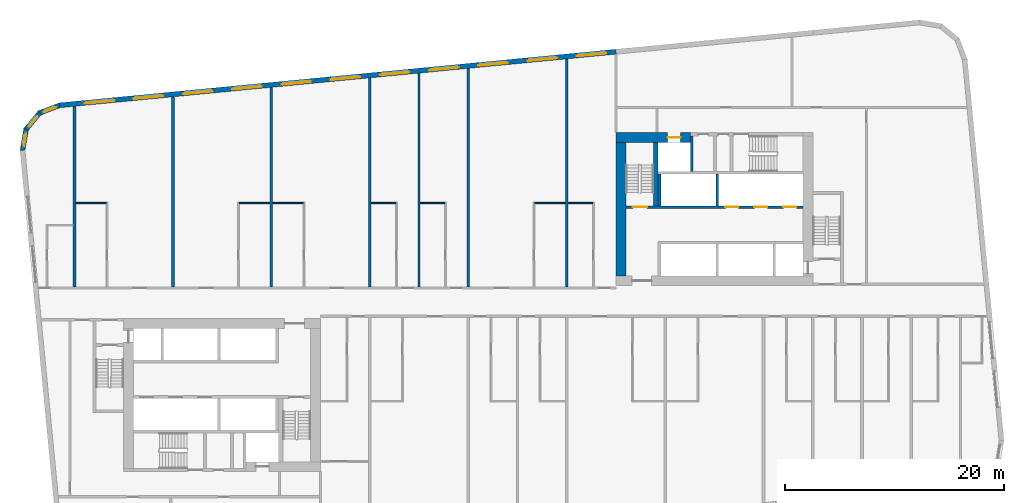
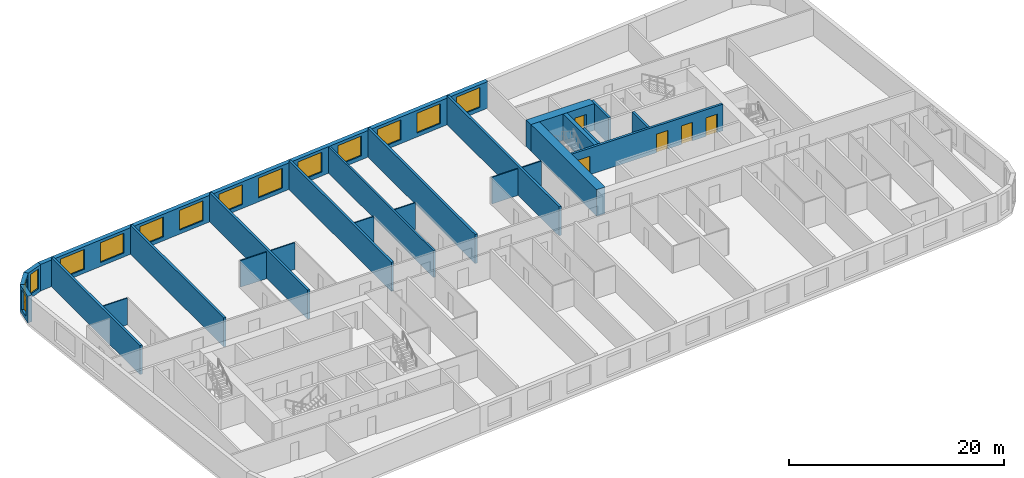
# One storey, part 6 of 12: 25 walls, 14 windows, 5 doors, 19 openings.
"""IFC4 building model written with IfcOpenShell, lengths in metres."""

from ifc_helpers import new_model, si_unit, direction, frame, frame_2d, origin, place, context, subcontext, project, spatial, polyline, rectangle, outline, extrude, material, layer, layer_set, type_object, element, fill, save


model = new_model("IFC4")

# Units and contexts
model_context = context("Model", 3, precision=1e-05, world=origin(), true_north=direction((0.0, 1.0)))
body_context = subcontext(model_context, "Body", "Model", "MODEL_VIEW")
ifc_project = project(units=[si_unit("LENGTHUNIT", "METRE"), si_unit("AREAUNIT", "SQUARE_METRE"), si_unit("VOLUMEUNIT", "CUBIC_METRE"), si_unit("PLANEANGLEUNIT", "RADIAN"), si_unit("MASSUNIT", "GRAM", prefix="KILO")], contexts=[model_context])

# Site, building, storey
site_placement = place(None, origin())
site = spatial("IfcSite", under=ifc_project, at=site_placement, CompositionType="ELEMENT")
building_placement = place(site_placement, origin())
building = spatial("IfcBuilding", under=site, at=building_placement, Name="Kajstack Hotel Tower", CompositionType="ELEMENT")
storey_placement = place(building_placement, frame((0.0, 0.0, 133.89990234375)))
storey = spatial("IfcBuildingStorey", under=building, at=storey_placement, Name="L30", CompositionType="ELEMENT", Elevation=133.89990234375)

# Wall, opening, door
ifc_material_1 = material(Name="Concrete C60/75", Category="concrete")
ifc_layer_1 = layer(ifc_material_1, 0.89990234375)
ifc_layer_set_1 = layer_set([ifc_layer_1], Name="Core wall 900")
wall_type_1 = type_object("IfcWallType", Name="Core wall 900", PredefinedType="SHEAR", material=ifc_layer_set_1)
wall_1_placement = place(storey_placement, frame((13.5, 15.050048828125, 0.0), z_axis=(0.0, 0.0, 1.0), x_axis=(1.0, 0.0, 0.0)))
wall_1 = element("IfcWall", 1, at=wall_1_placement, inside=storey, type_object=wall_type_1, Name="Core wall E RS", PredefinedType="SHEAR", context=body_context, shape_type="SweptSolid", body=[
    extrude(rectangle(XDim=6.800048828125, YDim=0.89990234375, at=frame_2d((3.39990234375, 0.0))), origin(), (0.0, 0.0, 1.0), 3.02001953125),
])
opening_1_placement = place(wall_1_placement, frame((4.72509765625, 0.0, 0.0)))
opening_1 = element("IfcOpeningElement", 2, at=opening_1_placement, cuts=wall_1, Name="Opening LD-SV2", PredefinedType="OPENING", context=body_context, shape_type="SweptSolid", body=[
    extrude(rectangle(XDim=1.199951171875, YDim=2.10009765625, at=frame_2d((0.60009765625, 1.050048828125))), frame((0.0, 0.4599609375, 0.0), z_axis=(0.0, -1.0, 0.0), x_axis=(1.0, 0.0, 0.0)), (0.0, 0.0, 1.0), 0.919921875),
])
ifc_material_2 = material(Name="Stainless steel", Category="steel")
door_type_1 = type_object("IfcDoorType", Name="Lift landing door 1200", OperationType="SLIDING_TO_LEFT", PredefinedType="DOOR", material=ifc_material_2)
door_1_placement = place(opening_1_placement, origin())
door_1 = element("IfcDoor", 3, at=door_1_placement, inside=storey, type_object=door_type_1, Name="Landing door SV2", OperationType="SLIDING_TO_LEFT", OverallHeight=2.10009765625, OverallWidth=1.199951171875, PredefinedType="DOOR", context=body_context, shape_type="SweptSolid", body=[
    extrude(rectangle(XDim=1.199951171875, YDim=2.10009765625, at=frame_2d((0.60009765625, 1.050048828125))), frame((0.0, 0.02490234375, 0.0), z_axis=(0.0, -1.0, 0.0), x_axis=(1.0, 0.0, 0.0)), (0.0, 0.0, 1.0), 0.050048828125),
])
fill(opening_1, door_1)

# Walls
wall_2_placement = place(storey_placement, frame((13.949951171875, 2.39990234375, 0.0), z_axis=(0.0, 0.0, 1.0), x_axis=(0.0, 1.0, 0.0)))
element("IfcWall", 4, at=wall_2_placement, inside=storey, type_object=wall_type_1, Name="Core wall E RE", PredefinedType="SHEAR", context=body_context, shape_type="SweptSolid", body=[
    extrude(rectangle(XDim=12.2001953125, YDim=0.89990234375, at=frame_2d((6.10009765625, 0.0))), origin(), (0.0, 0.0, 1.0), 3.02001953125),
])
ifc_material_3 = material(Name="Twin-frame gypsum board on steel studs, mineral wool", Category="steel")
ifc_layer_2 = layer(ifc_material_3, 0.199951171875)
ifc_layer_set_2 = layer_set([ifc_layer_2], Name="Demising wall 200")
wall_type_2 = type_object("IfcWallType", Name="Demising wall 200", PredefinedType="PARTITIONING", material=ifc_layer_set_2)
wall_3_placement = place(storey_placement, frame((-4.5, 1.39990234375, 0.0), z_axis=(0.0, 0.0, 1.0), x_axis=(0.0, 1.0, 0.0)))
element("IfcWall", 5, at=wall_3_placement, inside=storey, type_object=wall_type_2, Name="G-wall-L30-012", PredefinedType="PARTITIONING", context=body_context, shape_type="SweptSolid", body=[
    extrude(rectangle(XDim=19.529052734375, YDim=0.199951171875, at=frame_2d((9.7646484375, 0.0))), origin(), (0.0, 0.0, 1.0), 3.02001953125),
])

# Wall, openings, windows
ifc_material_4 = material(Name="Terracotta-faced brick masonry", Category="masonry")
ifc_layer_3 = layer(ifc_material_4, 0.449951171875)
ifc_layer_set_3 = layer_set([ifc_layer_3], Name="EW-TERRA")
wall_type_3 = type_object("IfcWallType", Name="EW-TERRA", PredefinedType="SOLIDWALL", material=ifc_layer_set_3)
wall_4_placement = place(storey_placement, frame((13.521484375, 22.89013671875, 0.0), z_axis=(0.0, 0.0, 1.0), x_axis=(-0.995396445054, -0.095843190545, 0.0)))
wall_4 = element("IfcWall", 6, at=wall_4_placement, inside=storey, type_object=wall_type_3, Name="E-wall-L30-12-02", PredefinedType="SOLIDWALL", context=body_context, shape_type="SweptSolid", body=[
    extrude(rectangle(XDim=51.114013671875, YDim=0.449951171875, at=frame_2d((25.55712890625, 0.0))), origin(), (0.0, 0.0, 1.0), 3.02001953125),
])
opening_2_placement = place(wall_4_placement, frame((0.910400390625, 0.0, 0.449951171875)))
opening_2 = element("IfcOpeningElement", 7, at=opening_2_placement, cuts=wall_4, Name="Opening W1", PredefinedType="OPENING", context=body_context, shape_type="SweptSolid", body=[
    extrude(rectangle(XDim=2.699951171875, YDim=2.25, at=frame_2d((1.35009765625, 1.125))), frame((0.0, 0.23486328125, 0.0), z_axis=(0.0, -1.0, 0.0), x_axis=(1.0, 0.0, 0.0)), (0.0, 0.0, 1.0), 0.469970703125),
])
opening_3_placement = place(wall_4_placement, frame((5.43115234375, 0.0, 0.449951171875)))
opening_3 = element("IfcOpeningElement", 8, at=opening_3_placement, cuts=wall_4, Name="Opening W1", PredefinedType="OPENING", context=body_context, shape_type="SweptSolid", body=[
    extrude(rectangle(XDim=2.699951171875, YDim=2.25, at=frame_2d((1.35009765625, 1.125))), frame((0.0, 0.23486328125, 0.0), z_axis=(0.0, -1.0, 0.0), x_axis=(1.0, 0.0, 0.0)), (0.0, 0.0, 1.0), 0.469970703125),
])
opening_4_placement = place(wall_4_placement, frame((9.951904296875, 0.0, 0.449951171875)))
opening_4 = element("IfcOpeningElement", 9, at=opening_4_placement, cuts=wall_4, Name="Opening W1", PredefinedType="OPENING", context=body_context, shape_type="SweptSolid", body=[
    extrude(rectangle(XDim=2.699951171875, YDim=2.25, at=frame_2d((1.35009765625, 1.125))), frame((0.0, 0.23486328125, 0.0), z_axis=(0.0, -1.0, 0.0), x_axis=(1.0, 0.0, 0.0)), (0.0, 0.0, 1.0), 0.469970703125),
])
opening_5_placement = place(wall_4_placement, frame((14.472900390625, 0.0, 0.449951171875)))
opening_5 = element("IfcOpeningElement", 10, at=opening_5_placement, cuts=wall_4, Name="Opening W1", PredefinedType="OPENING", context=body_context, shape_type="SweptSolid", body=[
    extrude(rectangle(XDim=2.699951171875, YDim=2.25, at=frame_2d((1.35009765625, 1.125))), frame((0.0, 0.23486328125, 0.0), z_axis=(0.0, -1.0, 0.0), x_axis=(1.0, 0.0, 0.0)), (0.0, 0.0, 1.0), 0.469970703125),
])
opening_6_placement = place(wall_4_placement, frame((18.99365234375, 0.0, 0.449951171875)))
opening_6 = element("IfcOpeningElement", 11, at=opening_6_placement, cuts=wall_4, Name="Opening W1", PredefinedType="OPENING", context=body_context, shape_type="SweptSolid", body=[
    extrude(rectangle(XDim=2.699951171875, YDim=2.25, at=frame_2d((1.35009765625, 1.125))), frame((0.0, 0.23486328125, 0.0), z_axis=(0.0, -1.0, 0.0), x_axis=(1.0, 0.0, 0.0)), (0.0, 0.0, 1.0), 0.469970703125),
])
opening_7_placement = place(wall_4_placement, frame((23.514404296875, 0.0, 0.449951171875)))
opening_7 = element("IfcOpeningElement", 12, at=opening_7_placement, cuts=wall_4, Name="Opening W1", PredefinedType="OPENING", context=body_context, shape_type="SweptSolid", body=[
    extrude(rectangle(XDim=2.699951171875, YDim=2.25, at=frame_2d((1.35009765625, 1.125))), frame((0.0, 0.23486328125, 0.0), z_axis=(0.0, -1.0, 0.0), x_axis=(1.0, 0.0, 0.0)), (0.0, 0.0, 1.0), 0.469970703125),
])
opening_8_placement = place(wall_4_placement, frame((28.035400390625, 0.0, 0.449951171875)))
opening_8 = element("IfcOpeningElement", 13, at=opening_8_placement, cuts=wall_4, Name="Opening W1", PredefinedType="OPENING", context=body_context, shape_type="SweptSolid", body=[
    extrude(rectangle(XDim=2.699951171875, YDim=2.25, at=frame_2d((1.35009765625, 1.125))), frame((0.0, 0.23486328125, 0.0), z_axis=(0.0, -1.0, 0.0), x_axis=(1.0, 0.0, 0.0)), (0.0, 0.0, 1.0), 0.469970703125),
])
opening_9_placement = place(wall_4_placement, frame((32.55615234375, 0.0, 0.449951171875)))
opening_9 = element("IfcOpeningElement", 14, at=opening_9_placement, cuts=wall_4, Name="Opening W1", PredefinedType="OPENING", context=body_context, shape_type="SweptSolid", body=[
    extrude(rectangle(XDim=2.699951171875, YDim=2.25, at=frame_2d((1.35009765625, 1.125))), frame((0.0, 0.23486328125, 0.0), z_axis=(0.0, -1.0, 0.0), x_axis=(1.0, 0.0, 0.0)), (0.0, 0.0, 1.0), 0.469970703125),
])
opening_10_placement = place(wall_4_placement, frame((37.076904296875, 0.0, 0.449951171875)))
opening_10 = element("IfcOpeningElement", 15, at=opening_10_placement, cuts=wall_4, Name="Opening W1", PredefinedType="OPENING", context=body_context, shape_type="SweptSolid", body=[
    extrude(rectangle(XDim=2.699951171875, YDim=2.25, at=frame_2d((1.35009765625, 1.125))), frame((0.0, 0.23486328125, 0.0), z_axis=(0.0, -1.0, 0.0), x_axis=(1.0, 0.0, 0.0)), (0.0, 0.0, 1.0), 0.469970703125),
])
opening_11_placement = place(wall_4_placement, frame((41.59765625, 0.0, 0.449951171875)))
opening_11 = element("IfcOpeningElement", 16, at=opening_11_placement, cuts=wall_4, Name="Opening W1", PredefinedType="OPENING", context=body_context, shape_type="SweptSolid", body=[
    extrude(rectangle(XDim=2.699951171875, YDim=2.25, at=frame_2d((1.35009765625, 1.125))), frame((0.0, 0.23486328125, 0.0), z_axis=(0.0, -1.0, 0.0), x_axis=(1.0, 0.0, 0.0)), (0.0, 0.0, 1.0), 0.469970703125),
])
opening_12_placement = place(wall_4_placement, frame((46.118408203125, 0.0, 0.449951171875)))
opening_12 = element("IfcOpeningElement", 17, at=opening_12_placement, cuts=wall_4, Name="Opening W1", PredefinedType="OPENING", context=body_context, shape_type="SweptSolid", body=[
    extrude(rectangle(XDim=2.699951171875, YDim=2.25, at=frame_2d((1.35009765625, 1.125))), frame((0.0, 0.23486328125, 0.0), z_axis=(0.0, -1.0, 0.0), x_axis=(1.0, 0.0, 0.0)), (0.0, 0.0, 1.0), 0.469970703125),
])
ifc_material_5 = material(Name="Timber-aluminium window, triple glazed", Category="wood")
window_type_1 = type_object("IfcWindowType", Name="WG1", PartitioningType="SINGLE_PANEL", PredefinedType="WINDOW", material=ifc_material_5)
window_1_placement = place(opening_2_placement, origin())
window_1 = element("IfcWindow", 18, at=window_1_placement, inside=storey, type_object=window_type_1, Name="Window W1 L30-12", OverallHeight=2.25, OverallWidth=2.699951171875, PartitioningType="SINGLE_PANEL", PredefinedType="WINDOW", context=body_context, shape_type="SweptSolid", body=[
    extrude(rectangle(XDim=2.699951171875, YDim=2.25, at=frame_2d((1.35009765625, 1.125))), frame((0.0, 0.090087890625, 0.0), z_axis=(0.0, -1.0, 0.0), x_axis=(1.0, 0.0, 0.0)), (0.0, 0.0, 1.0), 0.06005859375),
])
fill(opening_2, window_1)
window_2_placement = place(opening_3_placement, origin())
window_2 = element("IfcWindow", 19, at=window_2_placement, inside=storey, type_object=window_type_1, Name="Window W1 L30-12", OverallHeight=2.25, OverallWidth=2.699951171875, PartitioningType="SINGLE_PANEL", PredefinedType="WINDOW", context=body_context, shape_type="SweptSolid", body=[
    extrude(rectangle(XDim=2.699951171875, YDim=2.25, at=frame_2d((1.35009765625, 1.125))), frame((0.0, 0.090087890625, 0.0), z_axis=(0.0, -1.0, 0.0), x_axis=(1.0, 0.0, 0.0)), (0.0, 0.0, 1.0), 0.06005859375),
])
fill(opening_3, window_2)
window_3_placement = place(opening_4_placement, origin())
window_3 = element("IfcWindow", 20, at=window_3_placement, inside=storey, type_object=window_type_1, Name="Window W1 L30-12", OverallHeight=2.25, OverallWidth=2.699951171875, PartitioningType="SINGLE_PANEL", PredefinedType="WINDOW", context=body_context, shape_type="SweptSolid", body=[
    extrude(rectangle(XDim=2.699951171875, YDim=2.25, at=frame_2d((1.35009765625, 1.125))), frame((0.0, 0.090087890625, 0.0), z_axis=(0.0, -1.0, 0.0), x_axis=(1.0, 0.0, 0.0)), (0.0, 0.0, 1.0), 0.06005859375),
])
fill(opening_4, window_3)
window_4_placement = place(opening_5_placement, origin())
window_4 = element("IfcWindow", 21, at=window_4_placement, inside=storey, type_object=window_type_1, Name="Window W1 L30-12", OverallHeight=2.25, OverallWidth=2.699951171875, PartitioningType="SINGLE_PANEL", PredefinedType="WINDOW", context=body_context, shape_type="SweptSolid", body=[
    extrude(rectangle(XDim=2.699951171875, YDim=2.25, at=frame_2d((1.35009765625, 1.125))), frame((0.0, 0.090087890625, 0.0), z_axis=(0.0, -1.0, 0.0), x_axis=(1.0, 0.0, 0.0)), (0.0, 0.0, 1.0), 0.06005859375),
])
fill(opening_5, window_4)
window_5_placement = place(opening_6_placement, origin())
window_5 = element("IfcWindow", 22, at=window_5_placement, inside=storey, type_object=window_type_1, Name="Window W1 L30-12", OverallHeight=2.25, OverallWidth=2.699951171875, PartitioningType="SINGLE_PANEL", PredefinedType="WINDOW", context=body_context, shape_type="SweptSolid", body=[
    extrude(rectangle(XDim=2.699951171875, YDim=2.25, at=frame_2d((1.35009765625, 1.125))), frame((0.0, 0.090087890625, 0.0), z_axis=(0.0, -1.0, 0.0), x_axis=(1.0, 0.0, 0.0)), (0.0, 0.0, 1.0), 0.06005859375),
])
fill(opening_6, window_5)
window_6_placement = place(opening_7_placement, origin())
window_6 = element("IfcWindow", 23, at=window_6_placement, inside=storey, type_object=window_type_1, Name="Window W1 L30-12", OverallHeight=2.25, OverallWidth=2.699951171875, PartitioningType="SINGLE_PANEL", PredefinedType="WINDOW", context=body_context, shape_type="SweptSolid", body=[
    extrude(rectangle(XDim=2.699951171875, YDim=2.25, at=frame_2d((1.35009765625, 1.125))), frame((0.0, 0.090087890625, 0.0), z_axis=(0.0, -1.0, 0.0), x_axis=(1.0, 0.0, 0.0)), (0.0, 0.0, 1.0), 0.06005859375),
])
fill(opening_7, window_6)
window_7_placement = place(opening_8_placement, origin())
window_7 = element("IfcWindow", 24, at=window_7_placement, inside=storey, type_object=window_type_1, Name="Window W1 L30-12", OverallHeight=2.25, OverallWidth=2.699951171875, PartitioningType="SINGLE_PANEL", PredefinedType="WINDOW", context=body_context, shape_type="SweptSolid", body=[
    extrude(rectangle(XDim=2.699951171875, YDim=2.25, at=frame_2d((1.35009765625, 1.125))), frame((0.0, 0.090087890625, 0.0), z_axis=(0.0, -1.0, 0.0), x_axis=(1.0, 0.0, 0.0)), (0.0, 0.0, 1.0), 0.06005859375),
])
fill(opening_8, window_7)
window_8_placement = place(opening_9_placement, origin())
window_8 = element("IfcWindow", 25, at=window_8_placement, inside=storey, type_object=window_type_1, Name="Window W1 L30-12", OverallHeight=2.25, OverallWidth=2.699951171875, PartitioningType="SINGLE_PANEL", PredefinedType="WINDOW", context=body_context, shape_type="SweptSolid", body=[
    extrude(rectangle(XDim=2.699951171875, YDim=2.25, at=frame_2d((1.35009765625, 1.125))), frame((0.0, 0.090087890625, 0.0), z_axis=(0.0, -1.0, 0.0), x_axis=(1.0, 0.0, 0.0)), (0.0, 0.0, 1.0), 0.06005859375),
])
fill(opening_9, window_8)
window_9_placement = place(opening_10_placement, origin())
window_9 = element("IfcWindow", 26, at=window_9_placement, inside=storey, type_object=window_type_1, Name="Window W1 L30-12", OverallHeight=2.25, OverallWidth=2.699951171875, PartitioningType="SINGLE_PANEL", PredefinedType="WINDOW", context=body_context, shape_type="SweptSolid", body=[
    extrude(rectangle(XDim=2.699951171875, YDim=2.25, at=frame_2d((1.35009765625, 1.125))), frame((0.0, 0.090087890625, 0.0), z_axis=(0.0, -1.0, 0.0), x_axis=(1.0, 0.0, 0.0)), (0.0, 0.0, 1.0), 0.06005859375),
])
fill(opening_10, window_9)
window_10_placement = place(opening_11_placement, origin())
window_10 = element("IfcWindow", 27, at=window_10_placement, inside=storey, type_object=window_type_1, Name="Window W1 L30-12", OverallHeight=2.25, OverallWidth=2.699951171875, PartitioningType="SINGLE_PANEL", PredefinedType="WINDOW", context=body_context, shape_type="SweptSolid", body=[
    extrude(rectangle(XDim=2.699951171875, YDim=2.25, at=frame_2d((1.35009765625, 1.125))), frame((0.0, 0.090087890625, 0.0), z_axis=(0.0, -1.0, 0.0), x_axis=(1.0, 0.0, 0.0)), (0.0, 0.0, 1.0), 0.06005859375),
])
fill(opening_11, window_10)
window_11_placement = place(opening_12_placement, origin())
window_11 = element("IfcWindow", 28, at=window_11_placement, inside=storey, type_object=window_type_1, Name="Window W1 L30-12", OverallHeight=2.25, OverallWidth=2.699951171875, PartitioningType="SINGLE_PANEL", PredefinedType="WINDOW", context=body_context, shape_type="SweptSolid", body=[
    extrude(rectangle(XDim=2.699951171875, YDim=2.25, at=frame_2d((1.35009765625, 1.125))), frame((0.0, 0.090087890625, 0.0), z_axis=(0.0, -1.0, 0.0), x_axis=(1.0, 0.0, 0.0)), (0.0, 0.0, 1.0), 0.06005859375),
])
fill(opening_12, window_11)

# Wall, opening, window
wall_5_placement = place(storey_placement, frame((-37.300048828125, 18.00439453125, 0.0), z_axis=(0.0, 0.0, 1.0), x_axis=(-0.936677599948, -0.350192909346, 0.0)))
wall_5 = element("IfcWall", 29, at=wall_5_placement, inside=storey, type_object=wall_type_3, Name="E-wall-L30-13-00", PredefinedType="SOLIDWALL", context=body_context, shape_type="SweptSolid", body=[
    extrude(outline(polyline([(0.0, -0.224853515625), (2.070556640625, -0.224853515625), (1.949951171875, 0.22509765625), (0.12060546875, 0.22509765625), (0.0, -0.224853515625)])), origin(), (0.0, 0.0, 1.0), 3.02001953125),
])
opening_13_placement = place(wall_5_placement, frame((0.435302734375, 0.0, 0.449951171875)))
opening_13 = element("IfcOpeningElement", 30, at=opening_13_placement, cuts=wall_5, Name="Opening W3", PredefinedType="OPENING", context=body_context, shape_type="SweptSolid", body=[
    extrude(rectangle(XDim=1.199951171875, YDim=2.25, at=frame_2d((0.60009765625, 1.125))), frame((0.0, 0.23486328125, 0.0), z_axis=(0.0, -1.0, 0.0), x_axis=(1.0, 0.0, 0.0)), (0.0, 0.0, 1.0), 0.469970703125),
])
window_type_2 = type_object("IfcWindowType", Name="WG3", PartitioningType="SINGLE_PANEL", PredefinedType="WINDOW", material=ifc_material_5)
window_12_placement = place(opening_13_placement, origin())
window_12 = element("IfcWindow", 31, at=window_12_placement, inside=storey, type_object=window_type_2, Name="Window W3 L30-13", OverallHeight=2.25, OverallWidth=1.199951171875, PartitioningType="SINGLE_PANEL", PredefinedType="WINDOW", context=body_context, shape_type="SweptSolid", body=[
    extrude(rectangle(XDim=1.199951171875, YDim=2.25, at=frame_2d((0.60009765625, 1.125))), frame((0.0, 0.090087890625, 0.0), z_axis=(0.0, -1.0, 0.0), x_axis=(1.0, 0.0, 0.0)), (0.0, 0.0, 1.0), 0.06005859375),
])
fill(opening_13, window_12)

wall_6_placement = place(storey_placement, frame((-39.144775390625, 17.346923828125, 0.0), z_axis=(0.0, 0.0, 1.0), x_axis=(-0.636046112757, -0.771651049663, 0.0)))
wall_6 = element("IfcWall", 32, at=wall_6_placement, inside=storey, type_object=wall_type_3, Name="E-wall-L30-14-00", PredefinedType="SOLIDWALL", context=body_context, shape_type="SweptSolid", body=[
    extrude(outline(polyline([(0.0, -0.224853515625), (2.070556640625, -0.224853515625), (1.949951171875, 0.22509765625), (0.12060546875, 0.22509765625), (0.0, -0.224853515625)])), origin(), (0.0, 0.0, 1.0), 3.02001953125),
])
opening_14_placement = place(wall_6_placement, frame((0.435302734375, 0.0, 0.449951171875)))
opening_14 = element("IfcOpeningElement", 33, at=opening_14_placement, cuts=wall_6, Name="Opening W3", PredefinedType="OPENING", context=body_context, shape_type="SweptSolid", body=[
    extrude(rectangle(XDim=1.199951171875, YDim=2.25, at=frame_2d((0.60009765625, 1.125))), frame((0.0, 0.23486328125, 0.0), z_axis=(0.0, -1.0, 0.0), x_axis=(1.0, 0.0, 0.0)), (0.0, 0.0, 1.0), 0.469970703125),
])
window_13_placement = place(opening_14_placement, origin())
window_13 = element("IfcWindow", 34, at=window_13_placement, inside=storey, type_object=window_type_2, Name="Window W3 L30-14", OverallHeight=2.25, OverallWidth=1.199951171875, PartitioningType="SINGLE_PANEL", PredefinedType="WINDOW", context=body_context, shape_type="SweptSolid", body=[
    extrude(rectangle(XDim=1.199951171875, YDim=2.25, at=frame_2d((0.60009765625, 1.125))), frame((0.0, 0.090087890625, 0.0), z_axis=(0.0, -1.0, 0.0), x_axis=(1.0, 0.0, 0.0)), (0.0, 0.0, 1.0), 0.06005859375),
])
fill(opening_14, window_13)

wall_7_placement = place(storey_placement, frame((-40.413330078125, 15.855224609375, 0.0), z_axis=(0.0, 0.0, 1.0), x_axis=(-0.165068144653, -0.986282164302, 0.0)))
wall_7 = element("IfcWall", 35, at=wall_7_placement, inside=storey, type_object=wall_type_3, Name="E-wall-L30-15-00", PredefinedType="SOLIDWALL", context=body_context, shape_type="SweptSolid", body=[
    extrude(outline(polyline([(0.0, -0.22509765625), (2.070556640625, -0.224853515625), (1.9501953125, 0.22509765625), (0.12060546875, 0.224853515625), (0.0, -0.22509765625)])), origin(), (0.0, 0.0, 1.0), 3.02001953125),
])
opening_15_placement = place(wall_7_placement, frame((0.435302734375, 0.0, 0.449951171875)))
opening_15 = element("IfcOpeningElement", 36, at=opening_15_placement, cuts=wall_7, Name="Opening W3", PredefinedType="OPENING", context=body_context, shape_type="SweptSolid", body=[
    extrude(rectangle(XDim=1.199951171875, YDim=2.25, at=frame_2d((0.60009765625, 1.125))), frame((0.0, 0.23486328125, 0.0), z_axis=(0.0, -1.0, 0.0), x_axis=(1.0, 0.0, 0.0)), (0.0, 0.0, 1.0), 0.469970703125),
])
window_14_placement = place(opening_15_placement, origin())
window_14 = element("IfcWindow", 37, at=window_14_placement, inside=storey, type_object=window_type_2, Name="Window W3 L30-15", OverallHeight=2.25, OverallWidth=1.199951171875, PartitioningType="SINGLE_PANEL", PredefinedType="WINDOW", context=body_context, shape_type="SweptSolid", body=[
    extrude(rectangle(XDim=1.199951171875, YDim=2.25, at=frame_2d((0.60009765625, 1.125))), frame((0.0, 0.090087890625, 0.0), z_axis=(0.0, -1.0, 0.0), x_axis=(1.0, 0.0, 0.0)), (0.0, 0.0, 1.0), 0.06005859375),
])
fill(opening_15, window_14)

# Walls
ifc_material_6 = material(Name="Gypsum board and tiled backer on steel studs", Category="steel")
ifc_layer_4 = layer(ifc_material_6, 0.125)
ifc_layer_set_4 = layer_set([ifc_layer_4], Name="En-suite wall 125")
wall_type_4 = type_object("IfcWallType", Name="En-suite wall 125", PredefinedType="PARTITIONING", material=ifc_layer_set_4)
for number, where, z_axis, x_axis, name in (
    (38, (-35.875, 9.06201171875, 0.0), (0.0, 0.0, 1.0), (1.0, 0.0, 0.0), "G-wall-L30-007"),
    (39, (-20.925048828125, 9.06201171875, 0.0), (0.0, 0.0, 1.0), (1.0, 0.0, 0.0), "G-wall-L30-009"),
    (40, (-17.875, 9.06201171875, 0.0), (0.0, 0.0, 1.0), (1.0, 0.0, 0.0), "G-wall-L30-011"),
):
    element("IfcWall", number, at=place(storey_placement, frame(where, z_axis=z_axis, x_axis=x_axis)), inside=storey, type_object=wall_type_4, Name=name, PredefinedType="PARTITIONING", context=body_context, shape_type="SweptSolid", body=[
        extrude(rectangle(XDim=2.800048828125, YDim=0.125, at=frame_2d((1.39990234375, 0.0))), origin(), (0.0, 0.0, 1.0), 3.02001953125),
    ])
for number, where, z_axis, x_axis, name in (
    (41, (-8.875, 9.06201171875, 0.0), (0.0, 0.0, 1.0), (1.0, 0.0, 0.0), "G-wall-L30-014"),
    (42, (-4.39990234375, 9.06201171875, 0.0), (0.0, 0.0, 1.0), (1.0, 0.0, 0.0), "G-wall-L30-016"),
):
    element("IfcWall", number, at=place(storey_placement, frame(where, z_axis=z_axis, x_axis=x_axis)), inside=storey, type_object=wall_type_4, Name=name, PredefinedType="PARTITIONING", context=body_context, shape_type="SweptSolid", body=[
        extrude(rectangle(XDim=2.25, YDim=0.125, at=frame_2d((1.125, 0.0))), origin(), (0.0, 0.0, 1.0), 3.02001953125),
    ])
wall_8_placement = place(storey_placement, frame((6.074951171875, 9.06201171875, 0.0), z_axis=(0.0, 0.0, 1.0), x_axis=(1.0, 0.0, 0.0)))
element("IfcWall", 43, at=wall_8_placement, inside=storey, type_object=wall_type_4, Name="G-wall-L30-018", PredefinedType="PARTITIONING", context=body_context, shape_type="SweptSolid", body=[
    extrude(rectangle(XDim=2.800048828125, YDim=0.125, at=frame_2d((1.39990234375, 0.0))), origin(), (0.0, 0.0, 1.0), 3.02001953125),
])
wall_9_placement = place(storey_placement, frame((9.125, 9.06201171875, 0.0), z_axis=(0.0, 0.0, 1.0), x_axis=(1.0, 0.0, 0.0)))
element("IfcWall", 44, at=wall_9_placement, inside=storey, type_object=wall_type_4, Name="G-wall-L30-020", PredefinedType="PARTITIONING", context=body_context, shape_type="SweptSolid", body=[
    extrude(rectangle(XDim=2.25, YDim=0.125, at=frame_2d((1.125, 0.0))), origin(), (0.0, 0.0, 1.0), 3.02001953125),
])
ifc_material_7 = material(Name="Concrete C50/60", Category="concrete")
ifc_layer_5 = layer(ifc_material_7, 0.300048828125)
ifc_layer_set_5 = layer_set([ifc_layer_5], Name="Hoistway divider wall 300")
wall_type_5 = type_object("IfcWallType", Name="Hoistway divider wall 300", PredefinedType="SHEAR", material=ifc_layer_set_5)
wall_10_placement = place(storey_placement, frame((22.77490234375, 8.800048828125, 0.0), z_axis=(0.0, 0.0, 1.0), x_axis=(0.0, 1.0, 0.0)))
element("IfcWall", 45, at=wall_10_placement, inside=storey, type_object=wall_type_5, Name="Core wall E BP2", PredefinedType="SHEAR", context=body_context, shape_type="SweptSolid", body=[
    extrude(rectangle(XDim=2.89990234375, YDim=0.25, at=frame_2d((1.449951171875, 0.0))), origin(), (0.0, 0.0, 1.0), 3.02001953125),
])
ifc_material_8 = material(Name="Concrete C55/67", Category="concrete")
ifc_layer_6 = layer(ifc_material_8, 0.25)
ifc_layer_set_6 = layer_set([ifc_layer_6], Name="RC cross wall 250 C55/67")
wall_type_6 = type_object("IfcWallType", Name="RC cross wall 250 C55/67", PredefinedType="SHEAR", material=ifc_layer_set_6)
wall_11_placement = place(storey_placement, frame((-36.0, 1.39990234375, 0.0), z_axis=(0.0, 0.0, 1.0), x_axis=(0.0, 1.0, 0.0)))
element("IfcWall", 46, at=wall_11_placement, inside=storey, type_object=wall_type_6, Name="S-wall-L30-01", PredefinedType="SHEAR", context=body_context, shape_type="SweptSolid", body=[
    extrude(rectangle(XDim=16.473876953125, YDim=0.25, at=frame_2d((8.23681640625, 0.0))), origin(), (0.0, 0.0, 1.0), 3.300048828125),
])
wall_12_placement = place(storey_placement, frame((-27.0, 1.39990234375, 0.0), z_axis=(0.0, 0.0, 1.0), x_axis=(0.0, 1.0, 0.0)))
element("IfcWall", 47, at=wall_12_placement, inside=storey, type_object=wall_type_6, Name="S-wall-L30-02", PredefinedType="SHEAR", context=body_context, shape_type="SweptSolid", body=[
    extrude(rectangle(XDim=17.34033203125, YDim=0.25, at=frame_2d((8.670166015625, 0.0))), origin(), (0.0, 0.0, 1.0), 3.300048828125),
])
wall_13_placement = place(storey_placement, frame((-18.0, 1.39990234375, 0.0), z_axis=(0.0, 0.0, 1.0), x_axis=(0.0, 1.0, 0.0)))
element("IfcWall", 48, at=wall_13_placement, inside=storey, type_object=wall_type_6, Name="S-wall-L30-03", PredefinedType="SHEAR", context=body_context, shape_type="SweptSolid", body=[
    extrude(rectangle(XDim=18.20703125, YDim=0.25, at=frame_2d((9.103515625, 0.0))), origin(), (0.0, 0.0, 1.0), 3.300048828125),
])
wall_14_placement = place(storey_placement, frame((-9.0, 1.39990234375, 0.0), z_axis=(0.0, 0.0, 1.0), x_axis=(0.0, 1.0, 0.0)))
element("IfcWall", 49, at=wall_14_placement, inside=storey, type_object=wall_type_6, Name="S-wall-L30-05", PredefinedType="SHEAR", context=body_context, shape_type="SweptSolid", body=[
    extrude(rectangle(XDim=19.073486328125, YDim=0.25, at=frame_2d((9.53662109375, 0.0))), origin(), (0.0, 0.0, 1.0), 3.300048828125),
])
wall_15_placement = place(storey_placement, frame((0.0, 1.39990234375, 0.0), z_axis=(0.0, 0.0, 1.0), x_axis=(0.0, 1.0, 0.0)))
element("IfcWall", 50, at=wall_15_placement, inside=storey, type_object=wall_type_6, Name="S-wall-L30-07", PredefinedType="SHEAR", context=body_context, shape_type="SweptSolid", body=[
    extrude(rectangle(XDim=19.940185546875, YDim=0.25, at=frame_2d((9.97021484375, 0.0))), origin(), (0.0, 0.0, 1.0), 3.300048828125),
])
wall_16_placement = place(storey_placement, frame((9.0, 1.39990234375, 0.0), z_axis=(0.0, 0.0, 1.0), x_axis=(0.0, 1.0, 0.0)))
element("IfcWall", 51, at=wall_16_placement, inside=storey, type_object=wall_type_6, Name="S-wall-L30-09", PredefinedType="SHEAR", context=body_context, shape_type="SweptSolid", body=[
    extrude(rectangle(XDim=20.806884765625, YDim=0.25, at=frame_2d((10.4033203125, 0.0))), origin(), (0.0, 0.0, 1.0), 3.300048828125),
])

# Wall, openings, doors
ifc_layer_7 = layer(ifc_material_7, 0.25)
ifc_layer_set_7 = layer_set([ifc_layer_7], Name="Shaft wall 250")
wall_type_7 = type_object("IfcWallType", Name="Shaft wall 250", PredefinedType="SHEAR", material=ifc_layer_set_7)
wall_17_placement = place(storey_placement, frame((14.39990234375, 8.675048828125, 0.0), z_axis=(0.0, 0.0, 1.0), x_axis=(1.0, 0.0, 0.0)))
wall_17 = element("IfcWall", 52, at=wall_17_placement, inside=storey, type_object=wall_type_7, Name="Core wall E FB", PredefinedType="SHEAR", context=body_context, shape_type="SweptSolid", body=[
    extrude(rectangle(XDim=16.2001953125, YDim=0.25, at=frame_2d((8.10009765625, 0.0))), origin(), (0.0, 0.0, 1.0), 3.02001953125),
])
opening_16_placement = place(wall_17_placement, frame((14.39990234375, 0.0, 0.0)))
opening_16 = element("IfcOpeningElement", 53, at=opening_16_placement, cuts=wall_17, Name="Opening LD-LR4", PredefinedType="OPENING", context=body_context, shape_type="SweptSolid", body=[
    extrude(rectangle(XDim=1.199951171875, YDim=2.10009765625, at=frame_2d((0.60009765625, 1.050048828125))), frame((0.0, 0.135009765625, 0.0), z_axis=(0.0, -1.0, 0.0), x_axis=(1.0, 0.0, 0.0)), (0.0, 0.0, 1.0), 0.27001953125),
])
opening_17_placement = place(wall_17_placement, frame((11.75, 0.0, 0.0)))
opening_17 = element("IfcOpeningElement", 54, at=opening_17_placement, cuts=wall_17, Name="Opening LD-LR5", PredefinedType="OPENING", context=body_context, shape_type="SweptSolid", body=[
    extrude(rectangle(XDim=1.199951171875, YDim=2.10009765625, at=frame_2d((0.60009765625, 1.050048828125))), frame((0.0, 0.135009765625, 0.0), z_axis=(0.0, -1.0, 0.0), x_axis=(1.0, 0.0, 0.0)), (0.0, 0.0, 1.0), 0.27001953125),
])
opening_18_placement = place(wall_17_placement, frame((9.10009765625, 0.0, 0.0)))
opening_18 = element("IfcOpeningElement", 55, at=opening_18_placement, cuts=wall_17, Name="Opening LD-LR6", PredefinedType="OPENING", context=body_context, shape_type="SweptSolid", body=[
    extrude(rectangle(XDim=1.199951171875, YDim=2.10009765625, at=frame_2d((0.60009765625, 1.050048828125))), frame((0.0, 0.135009765625, 0.0), z_axis=(0.0, -1.0, 0.0), x_axis=(1.0, 0.0, 0.0)), (0.0, 0.0, 1.0), 0.27001953125),
])
opening_19_placement = place(wall_17_placement, frame((0.64990234375, 0.0, 0.0)))
opening_19 = element("IfcOpeningElement", 56, at=opening_19_placement, cuts=wall_17, Name="Opening 30E10", PredefinedType="OPENING", context=body_context, shape_type="SweptSolid", body=[
    extrude(rectangle(XDim=1.300048828125, YDim=2.10009765625, at=frame_2d((0.64990234375, 1.050048828125))), frame((0.0, 0.135009765625, 0.0), z_axis=(0.0, -1.0, 0.0), x_axis=(1.0, 0.0, 0.0)), (0.0, 0.0, 1.0), 0.27001953125),
])
door_2_placement = place(opening_16_placement, origin())
door_2 = element("IfcDoor", 57, at=door_2_placement, inside=storey, type_object=door_type_1, Name="Landing door LR4", OperationType="SLIDING_TO_LEFT", OverallHeight=2.10009765625, OverallWidth=1.199951171875, PredefinedType="DOOR", context=body_context, shape_type="SweptSolid", body=[
    extrude(rectangle(XDim=1.199951171875, YDim=2.10009765625, at=frame_2d((0.60009765625, 1.050048828125))), frame((0.0, 0.02490234375, 0.0), z_axis=(0.0, -1.0, 0.0), x_axis=(1.0, 0.0, 0.0)), (0.0, 0.0, 1.0), 0.050048828125),
])
fill(opening_16, door_2)
door_3_placement = place(opening_17_placement, origin())
door_3 = element("IfcDoor", 58, at=door_3_placement, inside=storey, type_object=door_type_1, Name="Landing door LR5", OperationType="SLIDING_TO_RIGHT", OverallHeight=2.10009765625, OverallWidth=1.199951171875, PredefinedType="DOOR", context=body_context, shape_type="SweptSolid", body=[
    extrude(rectangle(XDim=1.199951171875, YDim=2.10009765625, at=frame_2d((0.60009765625, 1.050048828125))), frame((0.0, 0.02490234375, 0.0), z_axis=(0.0, -1.0, 0.0), x_axis=(1.0, 0.0, 0.0)), (0.0, 0.0, 1.0), 0.050048828125),
])
fill(opening_17, door_3)
door_4_placement = place(opening_18_placement, origin())
door_4 = element("IfcDoor", 59, at=door_4_placement, inside=storey, type_object=door_type_1, Name="Landing door LR6", OperationType="SLIDING_TO_RIGHT", OverallHeight=2.10009765625, OverallWidth=1.199951171875, PredefinedType="DOOR", context=body_context, shape_type="SweptSolid", body=[
    extrude(rectangle(XDim=1.199951171875, YDim=2.10009765625, at=frame_2d((0.60009765625, 1.050048828125))), frame((0.0, 0.02490234375, 0.0), z_axis=(0.0, -1.0, 0.0), x_axis=(1.0, 0.0, 0.0)), (0.0, 0.0, 1.0), 0.050048828125),
])
fill(opening_18, door_4)
ifc_material_9 = material(Name="Steel leaf, fire-rated", Category="steel")
door_type_2 = type_object("IfcDoorType", Name="Stair door 1300", OperationType="SINGLE_SWING_LEFT", PredefinedType="DOOR", material=ifc_material_9)
door_5_placement = place(opening_19_placement, origin())
door_5 = element("IfcDoor", 60, at=door_5_placement, inside=storey, type_object=door_type_2, Name="Door 30E10", OperationType="SINGLE_SWING_LEFT", OverallHeight=2.10009765625, OverallWidth=1.300048828125, PredefinedType="DOOR", context=body_context, shape_type="SweptSolid", body=[
    extrude(rectangle(XDim=1.300048828125, YDim=2.10009765625, at=frame_2d((0.64990234375, 1.050048828125))), frame((0.0, 0.02490234375, 0.0), z_axis=(0.0, -1.0, 0.0), x_axis=(1.0, 0.0, 0.0)), (0.0, 0.0, 1.0), 0.050048828125),
])
fill(opening_19, door_5)

# Walls
wall_18_placement = place(storey_placement, frame((17.47509765625, 8.800048828125, 0.0), z_axis=(0.0, 0.0, 1.0), x_axis=(0.0, 1.0, 0.0)))
element("IfcWall", 61, at=wall_18_placement, inside=storey, type_object=wall_type_7, Name="Core wall E BE", PredefinedType="SHEAR", context=body_context, shape_type="SweptSolid", body=[
    extrude(rectangle(XDim=2.89990234375, YDim=0.25, at=frame_2d((1.449951171875, 0.0))), origin(), (0.0, 0.0, 1.0), 3.02001953125),
])
wall_19_placement = place(storey_placement, frame((20.425048828125, 11.949951171875, 0.0), z_axis=(0.0, 0.0, 1.0), x_axis=(0.0, 1.0, 0.0)))
element("IfcWall", 62, at=wall_19_placement, inside=storey, type_object=wall_type_7, Name="Core wall E SVW", PredefinedType="SHEAR", context=body_context, shape_type="SweptSolid", body=[
    extrude(rectangle(XDim=3.25, YDim=0.25, at=frame_2d((1.625, 0.0))), origin(), (0.0, 0.0, 1.0), 3.02001953125),
])
ifc_layer_8 = layer(ifc_material_7, 0.39990234375)
ifc_layer_set_8 = layer_set([ifc_layer_8], Name="Stair wall 400")
wall_type_8 = type_object("IfcWallType", Name="Stair wall 400", PredefinedType="SHEAR", material=ifc_layer_set_8)
wall_20_placement = place(storey_placement, frame((17.14990234375, 8.800048828125, 0.0), z_axis=(0.0, 0.0, 1.0), x_axis=(0.0, 1.0, 0.0)))
element("IfcWall", 63, at=wall_20_placement, inside=storey, type_object=wall_type_8, Name="Core wall E WW2", PredefinedType="SHEAR", context=body_context, shape_type="SweptSolid", body=[
    extrude(rectangle(XDim=5.800048828125, YDim=0.39990234375, at=frame_2d((2.89990234375, 0.0))), origin(), (0.0, 0.0, 1.0), 3.02001953125),
])

save(model, "model.ifc")
